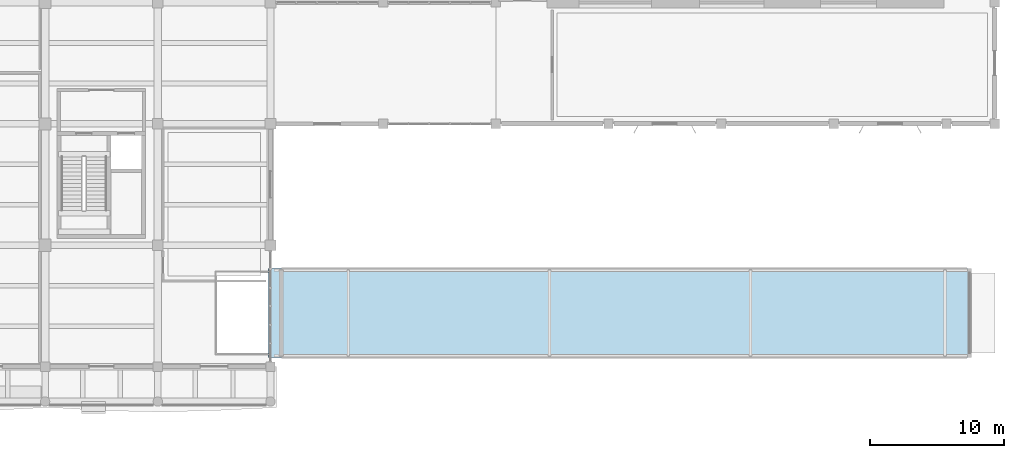
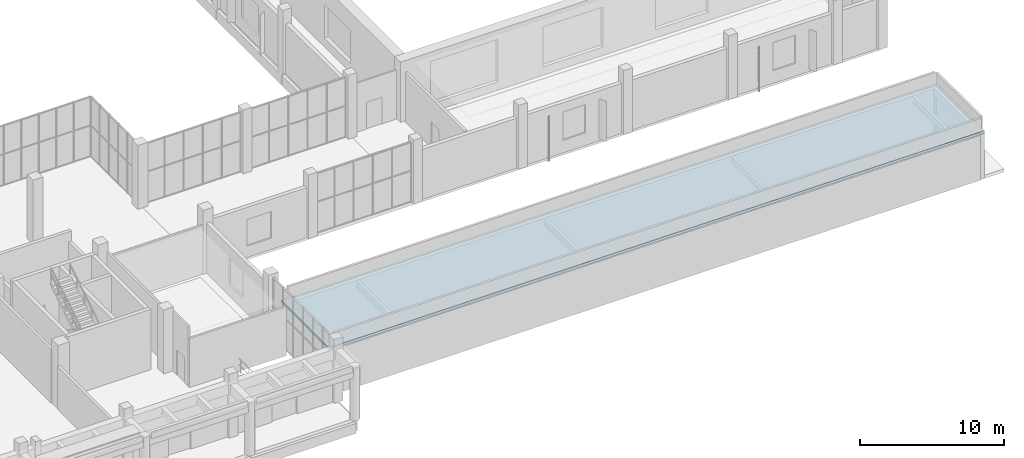
# One storey, part 72 of 91: 1 slab.
"""IFC4 building model written with IfcOpenShell, lengths in metres."""

from ifc_helpers import new_model, si_unit, direction, frame, origin, place, context, subcontext, project, spatial, polyline, outline, extrude, material, layer, layer_set, type_object, element, save


model = new_model("IFC4")

# Units and contexts
model_context = context("Model", 3, precision=1e-05, world=origin(), true_north=direction((0.0, 1.0)))
body_context = subcontext(model_context, "Body", "Model", "MODEL_VIEW")
ifc_project = project(units=[si_unit("LENGTHUNIT", "METRE"), si_unit("AREAUNIT", "SQUARE_METRE"), si_unit("VOLUMEUNIT", "CUBIC_METRE"), si_unit("PLANEANGLEUNIT", "RADIAN"), si_unit("MASSUNIT", "GRAM", prefix="KILO")], contexts=[model_context])

# Site, building, storey
site_placement = place(None, origin())
site = spatial("IfcSite", under=ifc_project, at=site_placement, CompositionType="ELEMENT")
building_placement = place(site_placement, origin())
building = spatial("IfcBuilding", under=site, at=building_placement, Name="Khurvash Pelagic Aquarium", CompositionType="ELEMENT")
storey_placement = place(building_placement, origin())
storey = spatial("IfcBuildingStorey", under=building, at=storey_placement, Name="L00", CompositionType="ELEMENT", Elevation=0.0)

# Slab
ifc_material = material(Name="Concrete C35/45", Category="concrete")
ifc_layer = layer(ifc_material, 0.219970703125)
ifc_layer_set = layer_set([ifc_layer], Name="Concrete C35/45")
slab_type = type_object("IfcSlabType", Name="RS-220", PredefinedType="ROOF", material=ifc_layer_set)
slab_placement = place(storey_placement, frame((0.0, 0.0, 3.800048828125)))
element("IfcSlab", 1, at=slab_placement, inside=storey, type_object=slab_type, Name="L00 Car Park Ramp Weather Hood Roof Slab", PredefinedType="ROOF", context=body_context, shape_type="SweptSolid", body=[
    extrude(outline(polyline([(109.050048828125, 3.300048828125), (161.449951171875, 3.300048828125), (161.449951171875, 9.89990234375), (109.050048828125, 9.89990234375), (109.050048828125, 3.300048828125)])), origin(), (0.0, 0.0, 1.0), 0.219970703125),
])

save(model, "model.ifc")
